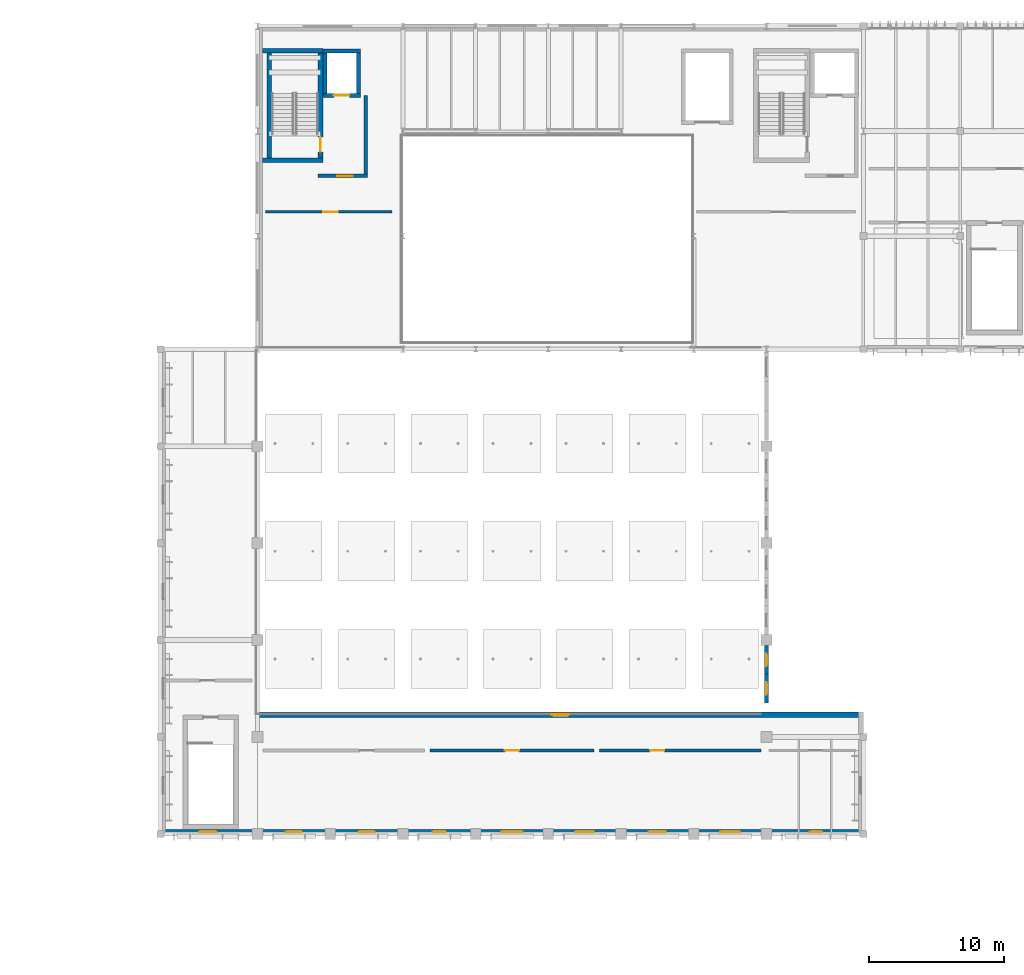
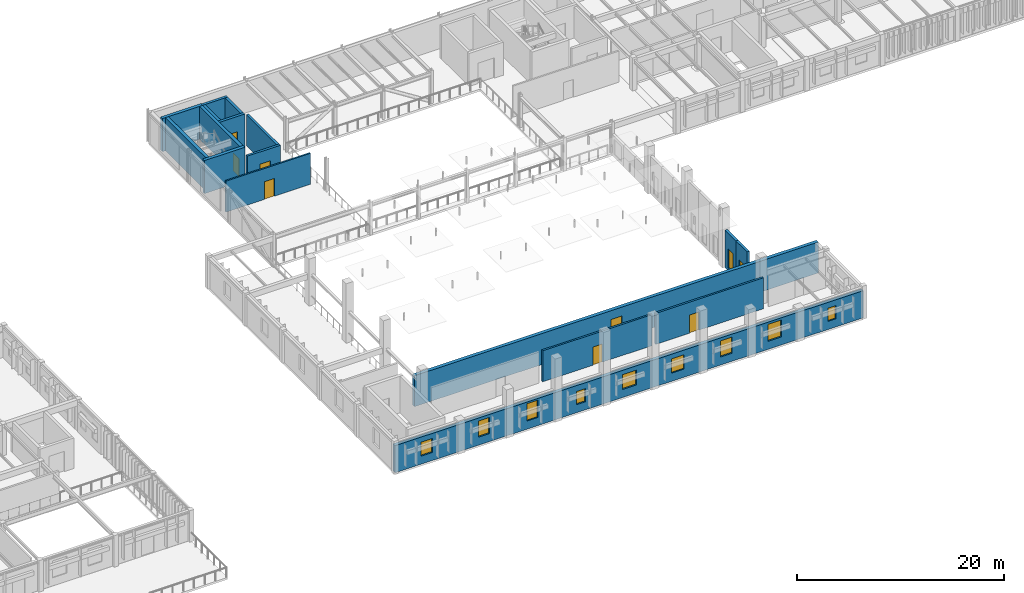
# One storey, part 21 of 44: 17 walls, 12 windows, 6 doors, 18 openings.
"""IFC4 building model written with IfcOpenShell, lengths in metres."""

from ifc_helpers import new_model, si_unit, direction, frame, frame_2d, origin, place, context, subcontext, project, spatial, rectangle, extrude, material, layer, layer_set, type_object, element, fill, save


model = new_model("IFC4")

# Units and contexts
model_context = context("Model", 3, precision=1e-05, world=origin(), true_north=direction((0.0, 1.0)))
body_context = subcontext(model_context, "Body", "Model", "MODEL_VIEW")
ifc_project = project(units=[si_unit("LENGTHUNIT", "METRE"), si_unit("AREAUNIT", "SQUARE_METRE"), si_unit("VOLUMEUNIT", "CUBIC_METRE"), si_unit("PLANEANGLEUNIT", "RADIAN"), si_unit("MASSUNIT", "GRAM", prefix="KILO")], contexts=[model_context])

# Site, building, storey
site_placement = place(None, origin())
site = spatial("IfcSite", under=ifc_project, at=site_placement, CompositionType="ELEMENT")
building_placement = place(site_placement, origin())
building = spatial("IfcBuilding", under=site, at=building_placement, Name="Tazoul Stagehouse", CompositionType="ELEMENT")
storey_placement = place(building_placement, frame((0.0, 0.0, 13.199951171875)))
storey = spatial("IfcBuildingStorey", under=building, at=storey_placement, Name="L03", CompositionType="ELEMENT", Elevation=13.199951171875)

# Wall, opening, window
ifc_material_1 = material(Name="Concrete C40/50", Category="concrete")
ifc_layer_1 = layer(ifc_material_1, 0.3798828125, Name="Concrete C40/50")
ifc_layer_set_1 = layer_set([ifc_layer_1], Name="Concrete C40/50")
wall_type_1 = type_object("IfcWallType", Name="Auditorium Shell Acoustic Perimeter Wall 380", PredefinedType="SOLIDWALL", material=ifc_layer_set_1)
wall_1_placement = place(storey_placement, frame((57.60009765625, 60.64990234375, 0.0), z_axis=(0.0, 0.0, 1.0), x_axis=(1.0, 0.0, 0.0)))
wall_1 = element("IfcWall", 1, at=wall_1_placement, inside=storey, type_object=wall_type_1, Name="L03 Wall EW-380 (WALL-V1-N-L03S-S1)", PredefinedType="SOLIDWALL", context=body_context, shape_type="SweptSolid", body=[
    extrude(rectangle(XDim=45.0, YDim=0.3798828125, at=frame_2d((22.5, 0.0))), origin(), (0.0, 0.0, 1.0), 3.650146484375),
])
opening_1_placement = place(wall_1_placement, frame((21.8701171875, 0.0, 0.949951171875)))
opening_1 = element("IfcOpeningElement", 2, at=opening_1_placement, cuts=wall_1, Name="Opening WN-45", PredefinedType="OPENING", context=body_context, shape_type="SweptSolid", body=[
    extrude(rectangle(XDim=1.260009765625, YDim=1.64990234375, at=frame_2d((0.6298828125, 0.824951171875))), frame((0.0, 0.2099609375, 0.0), z_axis=(0.0, -1.0, 0.0), x_axis=(1.0, 0.0, 0.0)), (0.0, 0.0, 1.0), 0.419921875),
])
ifc_material_2 = material(Name="Double Low-E Acoustic Laminated Glass", Category="glass")
window_type_1 = type_object("IfcWindowType", Name="Architectural Acoustic Facade Window 1260x1650", PartitioningType="SINGLE_PANEL", PredefinedType="WINDOW", material=ifc_material_2)
window_1_placement = place(opening_1_placement, origin())
window_1 = element("IfcWindow", 3, at=window_1_placement, inside=storey, type_object=window_type_1, Name="L03 Window WN-45 (WALL-V1-N-L03S-S1-B1-W1)", OverallHeight=1.64990234375, OverallWidth=1.260009765625, PartitioningType="SINGLE_PANEL", PredefinedType="WINDOW", context=body_context, shape_type="SweptSolid", body=[
    extrude(rectangle(XDim=1.260009765625, YDim=1.64990234375, at=frame_2d((0.6298828125, 0.824951171875))), frame((0.0, 0.030029296875, 0.0), z_axis=(0.0, -1.0, 0.0), x_axis=(1.0, 0.0, 0.0)), (0.0, 0.0, 1.0), 0.06005859375),
])
fill(opening_1, window_1)

# Wall, openings, windows
wall_2_placement = place(storey_placement, frame((50.39990234375, 51.949951171875, 0.0), z_axis=(0.0, 0.0, 1.0), x_axis=(1.0, 0.0, 0.0)))
wall_2 = element("IfcWall", 4, at=wall_2_placement, inside=storey, type_object=wall_type_1, Name="L03 Wall EW-380 (WALL-V1-S-L03-S1)", PredefinedType="SOLIDWALL", context=body_context, shape_type="SweptSolid", body=[
    extrude(rectangle(XDim=52.2001953125, YDim=0.3798828125, at=frame_2d((26.10009765625, 0.0))), origin(), (0.0, 0.0, 1.0), 3.199951171875),
])
opening_2_placement = place(wall_2_placement, frame((2.8798828125, 0.0, 0.949951171875)))
opening_2 = element("IfcOpeningElement", 5, at=opening_2_placement, cuts=wall_2, Name="Opening WN-46", PredefinedType="OPENING", context=body_context, shape_type="SweptSolid", body=[
    extrude(rectangle(XDim=1.2900390625, YDim=1.64990234375, at=frame_2d((0.64501953125, 0.824951171875))), frame((0.0, 0.2099609375, 0.0), z_axis=(0.0, -1.0, 0.0), x_axis=(1.0, 0.0, 0.0)), (0.0, 0.0, 1.0), 0.419921875),
])
opening_3_placement = place(wall_2_placement, frame((9.300048828125, 0.0, 0.949951171875)))
opening_3 = element("IfcOpeningElement", 6, at=opening_3_placement, cuts=wall_2, Name="Opening WN-68", PredefinedType="OPENING", context=body_context, shape_type="SweptSolid", body=[
    extrude(rectangle(XDim=1.199951171875, YDim=1.89990234375, at=frame_2d((0.60009765625, 0.949951171875))), frame((0.0, 0.2099609375, 0.0), z_axis=(0.0, -1.0, 0.0), x_axis=(1.0, 0.0, 0.0)), (0.0, 0.0, 1.0), 0.419921875),
])
opening_4_placement = place(wall_2_placement, frame((14.699951171875, 0.0, 0.949951171875)))
opening_4 = element("IfcOpeningElement", 7, at=opening_4_placement, cuts=wall_2, Name="Opening WN-22", PredefinedType="OPENING", context=body_context, shape_type="SweptSolid", body=[
    extrude(rectangle(XDim=1.199951171875, YDim=2.050048828125, at=frame_2d((0.60009765625, 1.02490234375))), frame((0.0, 0.2099609375, 0.0), z_axis=(0.0, -1.0, 0.0), x_axis=(1.0, 0.0, 0.0)), (0.0, 0.0, 1.0), 0.419921875),
])
opening_5_placement = place(wall_2_placement, frame((20.205078125, 0.0, 0.949951171875)))
opening_5 = element("IfcOpeningElement", 8, at=opening_5_placement, cuts=wall_2, Name="Opening WN-36", PredefinedType="OPENING", context=body_context, shape_type="SweptSolid", body=[
    extrude(rectangle(XDim=0.989990234375, YDim=1.550048828125, at=frame_2d((0.4951171875, 0.77490234375))), frame((0.0, 0.2099609375, 0.0), z_axis=(0.0, -1.0, 0.0), x_axis=(1.0, 0.0, 0.0)), (0.0, 0.0, 1.0), 0.419921875),
])
opening_6_placement = place(wall_2_placement, frame((25.320068359375, 0.0, 0.949951171875)))
opening_6 = element("IfcOpeningElement", 9, at=opening_6_placement, cuts=wall_2, Name="Opening WN-55", PredefinedType="OPENING", context=body_context, shape_type="SweptSolid", body=[
    extrude(rectangle(XDim=1.56005859375, YDim=1.75, at=frame_2d((0.780029296875, 0.875))), frame((0.0, 0.2099609375, 0.0), z_axis=(0.0, -1.0, 0.0), x_axis=(1.0, 0.0, 0.0)), (0.0, 0.0, 1.0), 0.419921875),
])
opening_7_placement = place(wall_2_placement, frame((30.780029296875, 0.0, 0.949951171875)))
opening_7 = element("IfcOpeningElement", 10, at=opening_7_placement, cuts=wall_2, Name="Opening WN-51", PredefinedType="OPENING", context=body_context, shape_type="SweptSolid", body=[
    extrude(rectangle(XDim=1.43994140625, YDim=1.699951171875, at=frame_2d((0.719970703125, 0.85009765625))), frame((0.0, 0.2099609375, 0.0), z_axis=(0.0, -1.0, 0.0), x_axis=(1.0, 0.0, 0.0)), (0.0, 0.0, 1.0), 0.419921875),
])
opening_8_placement = place(wall_2_placement, frame((36.239990234375, 0.0, 0.949951171875)))
opening_8 = element("IfcOpeningElement", 11, at=opening_8_placement, cuts=wall_2, Name="Opening WN-72", PredefinedType="OPENING", context=body_context, shape_type="SweptSolid", body=[
    extrude(rectangle(XDim=1.320068359375, YDim=1.89990234375, at=frame_2d((0.66015625, 0.949951171875))), frame((0.0, 0.2099609375, 0.0), z_axis=(0.0, -1.0, 0.0), x_axis=(1.0, 0.0, 0.0)), (0.0, 0.0, 1.0), 0.419921875),
])
opening_9_placement = place(wall_2_placement, frame((41.550048828125, 0.0, 0.949951171875)))
opening_9 = element("IfcOpeningElement", 12, at=opening_9_placement, cuts=wall_2, Name="Opening WN-78", PredefinedType="OPENING", context=body_context, shape_type="SweptSolid", body=[
    extrude(rectangle(XDim=1.5, YDim=2.0, at=frame_2d((0.75, 1.0))), frame((0.0, 0.2099609375, 0.0), z_axis=(0.0, -1.0, 0.0), x_axis=(1.0, 0.0, 0.0)), (0.0, 0.0, 1.0), 0.419921875),
])
opening_10_placement = place(wall_2_placement, frame((48.22509765625, 0.0, 0.949951171875)))
opening_10 = element("IfcOpeningElement", 13, at=opening_10_placement, cuts=wall_2, Name="Opening WN-33", PredefinedType="OPENING", context=body_context, shape_type="SweptSolid", body=[
    extrude(rectangle(XDim=0.89990234375, YDim=1.550048828125, at=frame_2d((0.449951171875, 0.77490234375))), frame((0.0, 0.2099609375, 0.0), z_axis=(0.0, -1.0, 0.0), x_axis=(1.0, 0.0, 0.0)), (0.0, 0.0, 1.0), 0.419921875),
])
window_type_2 = type_object("IfcWindowType", Name="Architectural Acoustic Facade Window 1200x1900", PartitioningType="SINGLE_PANEL", PredefinedType="WINDOW", material=ifc_material_2)
window_2_placement = place(opening_3_placement, origin())
window_2 = element("IfcWindow", 14, at=window_2_placement, inside=storey, type_object=window_type_2, Name="L03 Window WN-68 (WALL-V1-S-L03-S1-B2-W1)", OverallHeight=1.89990234375, OverallWidth=1.199951171875, PartitioningType="SINGLE_PANEL", PredefinedType="WINDOW", context=body_context, shape_type="SweptSolid", body=[
    extrude(rectangle(XDim=1.199951171875, YDim=1.89990234375, at=frame_2d((0.60009765625, 0.949951171875))), frame((0.0, 0.030029296875, 0.0), z_axis=(0.0, -1.0, 0.0), x_axis=(1.0, 0.0, 0.0)), (0.0, 0.0, 1.0), 0.06005859375),
])
fill(opening_3, window_2)
window_type_3 = type_object("IfcWindowType", Name="Architectural Acoustic Facade Window 1290x1650", PartitioningType="SINGLE_PANEL", PredefinedType="WINDOW", material=ifc_material_2)
window_3_placement = place(opening_2_placement, origin())
window_3 = element("IfcWindow", 15, at=window_3_placement, inside=storey, type_object=window_type_3, Name="L03 Window WN-46 (WALL-V1-S-L03-S1-B1-W1)", OverallHeight=1.64990234375, OverallWidth=1.2900390625, PartitioningType="SINGLE_PANEL", PredefinedType="WINDOW", context=body_context, shape_type="SweptSolid", body=[
    extrude(rectangle(XDim=1.2900390625, YDim=1.64990234375, at=frame_2d((0.64501953125, 0.824951171875))), frame((0.0, 0.030029296875, 0.0), z_axis=(0.0, -1.0, 0.0), x_axis=(1.0, 0.0, 0.0)), (0.0, 0.0, 1.0), 0.06005859375),
])
fill(opening_2, window_3)
window_type_4 = type_object("IfcWindowType", Name="Architectural Acoustic Facade Window 1320x1900", PartitioningType="SINGLE_PANEL", PredefinedType="WINDOW", material=ifc_material_2)
window_4_placement = place(opening_8_placement, origin())
window_4 = element("IfcWindow", 16, at=window_4_placement, inside=storey, type_object=window_type_4, Name="L03 Window WN-72 (WALL-V1-S-L03-S1-B7-W1)", OverallHeight=1.89990234375, OverallWidth=1.320068359375, PartitioningType="SINGLE_PANEL", PredefinedType="WINDOW", context=body_context, shape_type="SweptSolid", body=[
    extrude(rectangle(XDim=1.320068359375, YDim=1.89990234375, at=frame_2d((0.66015625, 0.949951171875))), frame((0.0, 0.030029296875, 0.0), z_axis=(0.0, -1.0, 0.0), x_axis=(1.0, 0.0, 0.0)), (0.0, 0.0, 1.0), 0.06005859375),
])
fill(opening_8, window_4)
window_type_5 = type_object("IfcWindowType", Name="Architectural Acoustic Facade Window 1440x1700", PartitioningType="SINGLE_PANEL", PredefinedType="WINDOW", material=ifc_material_2)
window_5_placement = place(opening_7_placement, origin())
window_5 = element("IfcWindow", 17, at=window_5_placement, inside=storey, type_object=window_type_5, Name="L03 Window WN-51 (WALL-V1-S-L03-S1-B6-W1)", OverallHeight=1.699951171875, OverallWidth=1.43994140625, PartitioningType="SINGLE_PANEL", PredefinedType="WINDOW", context=body_context, shape_type="SweptSolid", body=[
    extrude(rectangle(XDim=1.43994140625, YDim=1.699951171875, at=frame_2d((0.719970703125, 0.85009765625))), frame((0.0, 0.030029296875, 0.0), z_axis=(0.0, -1.0, 0.0), x_axis=(1.0, 0.0, 0.0)), (0.0, 0.0, 1.0), 0.06005859375),
])
fill(opening_7, window_5)
window_type_6 = type_object("IfcWindowType", Name="Architectural Acoustic Facade Window 1500x2000", PartitioningType="SINGLE_PANEL", PredefinedType="WINDOW", material=ifc_material_2)
window_6_placement = place(opening_9_placement, origin())
window_6 = element("IfcWindow", 18, at=window_6_placement, inside=storey, type_object=window_type_6, Name="L03 Window WN-78 (WALL-V1-S-L03-S1-B8-W1)", OverallHeight=2.0, OverallWidth=1.5, PartitioningType="SINGLE_PANEL", PredefinedType="WINDOW", context=body_context, shape_type="SweptSolid", body=[
    extrude(rectangle(XDim=1.5, YDim=2.0, at=frame_2d((0.75, 1.0))), frame((0.0, 0.030029296875, 0.0), z_axis=(0.0, -1.0, 0.0), x_axis=(1.0, 0.0, 0.0)), (0.0, 0.0, 1.0), 0.06005859375),
])
fill(opening_9, window_6)
window_type_7 = type_object("IfcWindowType", Name="Architectural Acoustic Facade Window 1560x1750", PartitioningType="SINGLE_PANEL", PredefinedType="WINDOW", material=ifc_material_2)
window_7_placement = place(opening_6_placement, origin())
window_7 = element("IfcWindow", 19, at=window_7_placement, inside=storey, type_object=window_type_7, Name="L03 Window WN-55 (WALL-V1-S-L03-S1-B5-W1)", OverallHeight=1.75, OverallWidth=1.56005859375, PartitioningType="SINGLE_PANEL", PredefinedType="WINDOW", context=body_context, shape_type="SweptSolid", body=[
    extrude(rectangle(XDim=1.56005859375, YDim=1.75, at=frame_2d((0.780029296875, 0.875))), frame((0.0, 0.030029296875, 0.0), z_axis=(0.0, -1.0, 0.0), x_axis=(1.0, 0.0, 0.0)), (0.0, 0.0, 1.0), 0.06005859375),
])
fill(opening_6, window_7)
window_type_8 = type_object("IfcWindowType", Name="Architectural Acoustic Facade Window 900x1550", PartitioningType="SINGLE_PANEL", PredefinedType="WINDOW", material=ifc_material_2)
window_8_placement = place(opening_10_placement, origin())
window_8 = element("IfcWindow", 20, at=window_8_placement, inside=storey, type_object=window_type_8, Name="L03 Window WN-33 (WALL-V1-S-L03-S1-B9-W1)", OverallHeight=1.550048828125, OverallWidth=0.89990234375, PartitioningType="SINGLE_PANEL", PredefinedType="WINDOW", context=body_context, shape_type="SweptSolid", body=[
    extrude(rectangle(XDim=0.89990234375, YDim=1.550048828125, at=frame_2d((0.449951171875, 0.77490234375))), frame((0.0, 0.030029296875, 0.0), z_axis=(0.0, -1.0, 0.0), x_axis=(1.0, 0.0, 0.0)), (0.0, 0.0, 1.0), 0.06005859375),
])
fill(opening_10, window_8)
window_type_9 = type_object("IfcWindowType", Name="Architectural Acoustic Facade Window 990x1550", PartitioningType="SINGLE_PANEL", PredefinedType="WINDOW", material=ifc_material_2)
window_9_placement = place(opening_5_placement, origin())
window_9 = element("IfcWindow", 21, at=window_9_placement, inside=storey, type_object=window_type_9, Name="L03 Window WN-36 (WALL-V1-S-L03-S1-B4-W1)", OverallHeight=1.550048828125, OverallWidth=0.989990234375, PartitioningType="SINGLE_PANEL", PredefinedType="WINDOW", context=body_context, shape_type="SweptSolid", body=[
    extrude(rectangle(XDim=0.989990234375, YDim=1.550048828125, at=frame_2d((0.4951171875, 0.77490234375))), frame((0.0, 0.030029296875, 0.0), z_axis=(0.0, -1.0, 0.0), x_axis=(1.0, 0.0, 0.0)), (0.0, 0.0, 1.0), 0.06005859375),
])
fill(opening_5, window_9)
window_type_10 = type_object("IfcWindowType", Name="Studio Drum Acoustic Window 1200x2050", PartitioningType="SINGLE_PANEL", PredefinedType="WINDOW", material=ifc_material_2)
window_10_placement = place(opening_4_placement, origin())
window_10 = element("IfcWindow", 22, at=window_10_placement, inside=storey, type_object=window_type_10, Name="L03 Window WN-22 (WALL-V1-S-L03-S1-B3-W1)", OverallHeight=2.050048828125, OverallWidth=1.199951171875, PartitioningType="SINGLE_PANEL", PredefinedType="WINDOW", context=body_context, shape_type="SweptSolid", body=[
    extrude(rectangle(XDim=1.199951171875, YDim=2.050048828125, at=frame_2d((0.60009765625, 1.02490234375))), frame((0.0, 0.030029296875, 0.0), z_axis=(0.0, -1.0, 0.0), x_axis=(1.0, 0.0, 0.0)), (0.0, 0.0, 1.0), 0.06005859375),
])
fill(opening_4, window_10)

# Walls
ifc_layer_2 = layer(ifc_material_1, 0.35009765625, Name="Concrete C40/50")
ifc_layer_set_2 = layer_set([ifc_layer_2], Name="Concrete C40/50")
wall_type_2 = type_object("IfcWallType", Name="Core Shear Wall 350", PredefinedType="SOLIDWALL", material=ifc_layer_set_2)
wall_3_placement = place(storey_placement, frame((62.449951171875, 101.824951171875, 0.0), z_axis=(0.0, 0.0, 1.0), x_axis=(-1.0, 0.0, 0.0)))
element("IfcWall", 23, at=wall_3_placement, inside=storey, type_object=wall_type_2, Name="L03 Core Wall CW-350 (SHF-ST-03-south)", PredefinedType="SOLIDWALL", context=body_context, shape_type="SweptSolid", body=[
    extrude(rectangle(XDim=4.489990234375, YDim=0.35009765625, at=frame_2d((2.2451171875, 0.0))), origin(), (0.0, 0.0, 1.0), 3.900146484375),
])
wall_4_placement = place(storey_placement, frame((58.47509765625, 102.0, 0.0), z_axis=(0.0, 0.0, 1.0), x_axis=(0.0, 1.0, 0.0)))
element("IfcWall", 24, at=wall_4_placement, inside=storey, type_object=wall_type_2, Name="L03 Core Wall CW-350 (SHF-ST-03-west)", PredefinedType="SOLIDWALL", context=body_context, shape_type="SweptSolid", body=[
    extrude(rectangle(XDim=7.800048828125, YDim=0.35009765625, at=frame_2d((3.89990234375, 0.0))), origin(), (0.0, 0.0, 1.0), 3.900146484375),
])
wall_5_placement = place(storey_placement, frame((57.9599609375, 109.97509765625, 0.0), z_axis=(0.0, 0.0, 1.0), x_axis=(1.0, 0.0, 0.0)))
element("IfcWall", 25, at=wall_5_placement, inside=storey, type_object=wall_type_2, Name="L03 Core Wall CW-350 (SHF-ST-03-north)", PredefinedType="SOLIDWALL", context=body_context, shape_type="SweptSolid", body=[
    extrude(rectangle(XDim=4.489990234375, YDim=0.35009765625, at=frame_2d((2.2451171875, 0.0))), origin(), (0.0, 0.0, 1.0), 3.900146484375),
])

# Wall, opening, door
wall_6_placement = place(storey_placement, frame((62.27490234375, 109.800048828125, 0.0), z_axis=(0.0, 0.0, 1.0), x_axis=(0.0, -1.0, 0.0)))
wall_6 = element("IfcWall", 26, at=wall_6_placement, inside=storey, type_object=wall_type_2, Name="L03 Core Wall CW-350 (SHF-ST-03-east)", PredefinedType="SOLIDWALL", context=body_context, shape_type="SweptSolid", body=[
    extrude(rectangle(XDim=7.800048828125, YDim=0.35009765625, at=frame_2d((3.89990234375, 0.0))), origin(), (0.0, 0.0, 1.0), 3.900146484375),
])
opening_11_placement = place(wall_6_placement, frame((6.25, 0.0, 0.0)))
opening_11 = element("IfcOpeningElement", 27, at=opening_11_placement, cuts=wall_6, Name="Opening FD-01", PredefinedType="OPENING", context=body_context, shape_type="SweptSolid", body=[
    extrude(rectangle(XDim=1.10009765625, YDim=2.14990234375, at=frame_2d((0.550048828125, 1.074951171875))), frame((0.0, 0.195068359375, 0.0), z_axis=(0.0, -1.0, 0.0), x_axis=(1.0, 0.0, 0.0)), (0.0, 0.0, 1.0), 0.39013671875),
])
ifc_material_3 = material(Name="Powder-Coated Galvanised Acoustic Steel", Category="steel")
door_type_1 = type_object("IfcDoorType", Name="Core Escape Stair Fire Door 1100x2150", OperationType="NOTDEFINED", PredefinedType="DOOR", material=ifc_material_3)
door_1_placement = place(opening_11_placement, origin())
door_1 = element("IfcDoor", 28, at=door_1_placement, inside=storey, type_object=door_type_1, Name="L03 Escape Stair Fire Door FD-01 (ST-03)", OperationType="SINGLE_SWING_RIGHT", OverallHeight=2.14990234375, OverallWidth=1.10009765625, PredefinedType="DOOR", context=body_context, shape_type="SweptSolid", body=[
    extrude(rectangle(XDim=1.10009765625, YDim=2.14990234375, at=frame_2d((0.550048828125, 1.074951171875))), frame((0.0, 0.02490234375, 0.0), z_axis=(0.0, -1.0, 0.0), x_axis=(1.0, 0.0, 0.0)), (0.0, 0.0, 1.0), 0.050048828125),
])
fill(opening_11, door_1)

ifc_material_4 = material(Name="Gypsum Acoustic Partition", Category="gypsum")
ifc_layer_3 = layer(ifc_material_4, 0.169921875, Name="Gypsum Acoustic Partition")
ifc_layer_set_3 = layer_set([ifc_layer_3], Name="Gypsum Acoustic Partition")
wall_type_3 = type_object("IfcWallType", Name="Corridor Fire-Rated Partition 170", PredefinedType="PARTITIONING", material=ifc_layer_set_3)
wall_7_placement = place(storey_placement, frame((58.199951171875, 98.0, 0.0), z_axis=(0.0, 0.0, 1.0), x_axis=(1.0, 0.0, 0.0)))
wall_7 = element("IfcWall", 29, at=wall_7_placement, inside=storey, type_object=wall_type_3, Name="L03 Partition PW-170 (PW-RM-L03-076-N)", PredefinedType="PARTITIONING", context=body_context, shape_type="SweptSolid", body=[
    extrude(rectangle(XDim=9.400146484375, YDim=0.169921875, at=frame_2d((4.7001953125, 0.0))), origin(), (0.0, 0.0, 1.0), 3.650146484375),
])
opening_12_placement = place(wall_7_placement, frame((4.272705078125, 0.0, 0.0)))
opening_12 = element("IfcOpeningElement", 30, at=opening_12_placement, cuts=wall_7, Name="Opening ID-09", PredefinedType="OPENING", context=body_context, shape_type="SweptSolid", body=[
    extrude(rectangle(XDim=1.10009765625, YDim=2.10009765625, at=frame_2d((0.550048828125, 1.050048828125))), frame((0.0, 0.10498046875, 0.0), z_axis=(0.0, -1.0, 0.0), x_axis=(1.0, 0.0, 0.0)), (0.0, 0.0, 1.0), 0.2099609375),
])
ifc_material_5 = material(Name="Acoustic Cedar Timber", Category="wood")
door_type_2 = type_object("IfcDoorType", Name="Store Room Steel Door 1100x2100", OperationType="NOTDEFINED", PredefinedType="DOOR", material=ifc_material_5)
door_2_placement = place(opening_12_placement, origin())
door_2 = element("IfcDoor", 31, at=door_2_placement, inside=storey, type_object=door_type_2, Name="L03 Upper Fly Amplifier and Winch Gallery Door", OperationType="SINGLE_SWING_RIGHT", OverallHeight=2.10009765625, OverallWidth=1.10009765625, PredefinedType="DOOR", context=body_context, shape_type="SweptSolid", body=[
    extrude(rectangle(XDim=1.10009765625, YDim=2.10009765625, at=frame_2d((0.550048828125, 1.050048828125))), frame((0.0, 0.02490234375, 0.0), z_axis=(0.0, -1.0, 0.0), x_axis=(1.0, 0.0, 0.0)), (0.0, 0.0, 1.0), 0.050048828125),
])
fill(opening_12, door_2)

ifc_layer_4 = layer(ifc_material_1, 0.260009765625, Name="Concrete C40/50")
ifc_layer_set_4 = layer_set([ifc_layer_4], Name="Concrete C40/50")
wall_type_4 = type_object("IfcWallType", Name="Firefighting Lobby Wall 260", PredefinedType="SOLIDWALL", material=ifc_layer_set_4)
wall_8_placement = place(storey_placement, frame((65.760009765625, 100.669921875, 0.0), z_axis=(0.0, 0.0, 1.0), x_axis=(-1.0, 0.0, 0.0)))
wall_8 = element("IfcWall", 32, at=wall_8_placement, inside=storey, type_object=wall_type_4, Name="L03 Firefighting Lobby Wall CW-260 (C3-S)", PredefinedType="SOLIDWALL", context=body_context, shape_type="SweptSolid", body=[
    extrude(rectangle(XDim=3.659912109375, YDim=0.260009765625, at=frame_2d((1.830078125, 0.0))), origin(), (0.0, 0.0, 1.0), 3.650146484375),
])
opening_13_placement = place(wall_8_placement, frame((1.10009765625, 0.0, 0.0)))
opening_13 = element("IfcOpeningElement", 33, at=opening_13_placement, cuts=wall_8, Name="Opening FD-02", PredefinedType="OPENING", context=body_context, shape_type="SweptSolid", body=[
    extrude(rectangle(XDim=1.14990234375, YDim=2.199951171875, at=frame_2d((0.574951171875, 1.10009765625))), frame((0.0, 0.14990234375, 0.0), z_axis=(0.0, -1.0, 0.0), x_axis=(1.0, 0.0, 0.0)), (0.0, 0.0, 1.0), 0.300048828125),
])
door_type_3 = type_object("IfcDoorType", Name="Firefighting Lobby Fire Door 1150x2200", OperationType="NOTDEFINED", PredefinedType="DOOR", material=ifc_material_3)
door_3_placement = place(opening_13_placement, origin())
door_3 = element("IfcDoor", 34, at=door_3_placement, inside=storey, type_object=door_type_3, Name="L03 Firefighting Lobby Door FD-02 (C3)", OperationType="SINGLE_SWING_LEFT", OverallHeight=2.199951171875, OverallWidth=1.14990234375, PredefinedType="DOOR", context=body_context, shape_type="SweptSolid", body=[
    extrude(rectangle(XDim=1.14990234375, YDim=2.199951171875, at=frame_2d((0.574951171875, 1.10009765625))), frame((0.0, 0.02490234375, 0.0), z_axis=(0.0, -1.0, 0.0), x_axis=(1.0, 0.0, 0.0)), (0.0, 0.0, 1.0), 0.050048828125),
])
fill(opening_13, door_3)

# Wall
wall_9_placement = place(storey_placement, frame((65.6298828125, 106.64990234375, 0.0), z_axis=(0.0, 0.0, 1.0), x_axis=(0.0, -1.0, 0.0)))
element("IfcWall", 35, at=wall_9_placement, inside=storey, type_object=wall_type_4, Name="L03 Firefighting Lobby Wall CW-260 (C3-E)", PredefinedType="SOLIDWALL", context=body_context, shape_type="SweptSolid", body=[
    extrude(rectangle(XDim=5.849853515625, YDim=0.260009765625, at=frame_2d((2.9248046875, 0.0))), origin(), (0.0, 0.0, 1.0), 3.650146484375),
])

# Wall, opening, window
ifc_material_6 = material(Name="Precast concrete C40/50", Category="concrete")
ifc_layer_5 = layer(ifc_material_6, 0.280029296875, Name="Precast concrete C40/50")
ifc_layer_set_5 = layer_set([ifc_layer_5], Name="Precast concrete C40/50")
wall_type_5 = type_object("IfcWallType", Name="Insulated Precast Acoustic Cladding Wall 280", PredefinedType="SOLIDWALL", material=ifc_layer_set_5)
wall_10_placement = place(storey_placement, frame((95.39990234375, 61.5400390625, -0.02001953125), z_axis=(0.0, 0.0, 1.0), x_axis=(0.0, 1.0, 0.0)))
wall_10 = element("IfcWall", 36, at=wall_10_placement, inside=storey, type_object=wall_type_5, Name="L03 Wall EW-280 (WALL-V1-TYMP-E-B2-2)", PredefinedType="SOLIDWALL", context=body_context, shape_type="SweptSolid", body=[
    extrude(rectangle(XDim=2.119873046875, YDim=0.280029296875, at=frame_2d((1.06005859375, 0.0))), origin(), (0.0, 0.0, 1.0), 4.42724609375),
])
opening_14_placement = place(wall_10_placement, frame((0.610107421875, 0.0, 0.35009765625)))
opening_14 = element("IfcOpeningElement", 37, at=opening_14_placement, cuts=wall_10, Name="Opening WN-01", PredefinedType="OPENING", context=body_context, shape_type="SweptSolid", body=[
    extrude(rectangle(XDim=0.89990234375, YDim=2.199951171875, at=frame_2d((0.449951171875, 1.10009765625))), frame((0.0, 0.159912109375, 0.0), z_axis=(0.0, -1.0, 0.0), x_axis=(1.0, 0.0, 0.0)), (0.0, 0.0, 1.0), 0.320068359375),
])
window_type_11 = type_object("IfcWindowType", Name="Crescent Narrow Vertical Slot Window 900x2200", PartitioningType="SINGLE_PANEL", PredefinedType="WINDOW", material=ifc_material_2)
window_11_placement = place(opening_14_placement, origin())
window_11 = element("IfcWindow", 38, at=window_11_placement, inside=storey, type_object=window_type_11, Name="L03 Window WN-01 (WN-V1-TYMP-E2-2)", OverallHeight=2.199951171875, OverallWidth=0.89990234375, PartitioningType="SINGLE_PANEL", PredefinedType="WINDOW", context=body_context, shape_type="SweptSolid", body=[
    extrude(rectangle(XDim=0.89990234375, YDim=2.199951171875, at=frame_2d((0.449951171875, 1.10009765625))), frame((0.0, 0.030029296875, 0.0), z_axis=(0.0, -1.0, 0.0), x_axis=(1.0, 0.0, 0.0)), (0.0, 0.0, 1.0), 0.06005859375),
])
fill(opening_14, window_11)

wall_11_placement = place(storey_placement, frame((95.39990234375, 63.659912109375, -0.02001953125), z_axis=(0.0, 0.0, 1.0), x_axis=(0.0, 1.0, 0.0)))
wall_11 = element("IfcWall", 39, at=wall_11_placement, inside=storey, type_object=wall_type_5, Name="L03 Wall EW-280 (WALL-V1-TYMP-E-B2-3)", PredefinedType="SOLIDWALL", context=body_context, shape_type="SweptSolid", body=[
    extrude(rectangle(XDim=2.1201171875, YDim=0.280029296875, at=frame_2d((1.06005859375, 0.0))), origin(), (0.0, 0.0, 1.0), 4.42724609375),
])
opening_15_placement = place(wall_11_placement, frame((0.610107421875, 0.0, 0.35009765625)))
opening_15 = element("IfcOpeningElement", 40, at=opening_15_placement, cuts=wall_11, Name="Opening WN-01", PredefinedType="OPENING", context=body_context, shape_type="SweptSolid", body=[
    extrude(rectangle(XDim=0.89990234375, YDim=2.199951171875, at=frame_2d((0.449951171875, 1.10009765625))), frame((0.0, 0.159912109375, 0.0), z_axis=(0.0, -1.0, 0.0), x_axis=(1.0, 0.0, 0.0)), (0.0, 0.0, 1.0), 0.320068359375),
])
window_12_placement = place(opening_15_placement, origin())
window_12 = element("IfcWindow", 41, at=window_12_placement, inside=storey, type_object=window_type_11, Name="L03 Window WN-01 (WN-V1-TYMP-E2-3)", OverallHeight=2.199951171875, OverallWidth=0.89990234375, PartitioningType="SINGLE_PANEL", PredefinedType="WINDOW", context=body_context, shape_type="SweptSolid", body=[
    extrude(rectangle(XDim=0.89990234375, YDim=2.199951171875, at=frame_2d((0.449951171875, 1.10009765625))), frame((0.0, 0.030029296875, 0.0), z_axis=(0.0, -1.0, 0.0), x_axis=(1.0, 0.0, 0.0)), (0.0, 0.0, 1.0), 0.06005859375),
])
fill(opening_15, window_12)

# Wall, opening, door
ifc_layer_6 = layer(ifc_material_1, 0.300048828125, Name="Concrete C40/50")
ifc_layer_set_6 = layer_set([ifc_layer_6], Name="Concrete C40/50")
wall_type_6 = type_object("IfcWallType", Name="Lift Shaft Wall 300", PredefinedType="SOLIDWALL", material=ifc_layer_set_6)
wall_12_placement = place(storey_placement, frame((65.25, 106.64990234375, 0.0), z_axis=(0.0, 0.0, 1.0), x_axis=(-1.0, 0.0, 0.0)))
wall_12 = element("IfcWall", 42, at=wall_12_placement, inside=storey, type_object=wall_type_6, Name="L03 Core Wall CW-300 (LSHF-FFL-02-south)", PredefinedType="SOLIDWALL", context=body_context, shape_type="SweptSolid", body=[
    extrude(rectangle(XDim=2.800048828125, YDim=0.300048828125, at=frame_2d((1.39990234375, 0.0))), origin(), (0.0, 0.0, 1.0), 3.900146484375),
])
opening_16_placement = place(wall_12_placement, frame((0.824951171875, 0.0, 0.0)))
opening_16 = element("IfcOpeningElement", 43, at=opening_16_placement, cuts=wall_12, Name="Opening LD-02", PredefinedType="OPENING", context=body_context, shape_type="SweptSolid", body=[
    extrude(rectangle(XDim=1.14990234375, YDim=2.10009765625, at=frame_2d((0.574951171875, 1.050048828125))), frame((0.0, 0.169921875, 0.0), z_axis=(0.0, -1.0, 0.0), x_axis=(1.0, 0.0, 0.0)), (0.0, 0.0, 1.0), 0.340087890625),
])
door_type_4 = type_object("IfcDoorType", Name="Firefighter Lift Sliding Landing Door 1150x2100", OperationType="DOUBLE_DOOR_SLIDING", PredefinedType="DOOR", material=ifc_material_3)
door_4_placement = place(opening_16_placement, origin())
door_4 = element("IfcDoor", 44, at=door_4_placement, inside=storey, type_object=door_type_4, Name="L03 Lift Landing Sliding Door LD-02 (FFL-02)", OperationType="DOUBLE_DOOR_SLIDING", OverallHeight=2.10009765625, OverallWidth=1.14990234375, PredefinedType="DOOR", context=body_context, shape_type="SweptSolid", body=[
    extrude(rectangle(XDim=1.14990234375, YDim=2.10009765625, at=frame_2d((0.574951171875, 1.050048828125))), frame((0.0, 0.02490234375, 0.0), z_axis=(0.0, -1.0, 0.0), x_axis=(1.0, 0.0, 0.0)), (0.0, 0.0, 1.0), 0.050048828125),
])
fill(opening_16, door_4)

# Walls
wall_13_placement = place(storey_placement, frame((62.60009765625, 106.800048828125, 0.0), z_axis=(0.0, 0.0, 1.0), x_axis=(0.0, 1.0, 0.0)))
element("IfcWall", 45, at=wall_13_placement, inside=storey, type_object=wall_type_6, Name="L03 Core Wall CW-300 (LSHF-FFL-02-west)", PredefinedType="SOLIDWALL", context=body_context, shape_type="SweptSolid", body=[
    extrude(rectangle(XDim=3.0, YDim=0.300048828125, at=frame_2d((1.5, 0.0))), origin(), (0.0, 0.0, 1.0), 3.900146484375),
])
wall_14_placement = place(storey_placement, frame((62.449951171875, 109.949951171875, 0.0), z_axis=(0.0, 0.0, 1.0), x_axis=(1.0, 0.0, 0.0)))
element("IfcWall", 46, at=wall_14_placement, inside=storey, type_object=wall_type_6, Name="L03 Core Wall CW-300 (LSHF-FFL-02-north)", PredefinedType="SOLIDWALL", context=body_context, shape_type="SweptSolid", body=[
    extrude(rectangle(XDim=2.800048828125, YDim=0.300048828125, at=frame_2d((1.39990234375, 0.0))), origin(), (0.0, 0.0, 1.0), 3.900146484375),
])
wall_15_placement = place(storey_placement, frame((65.10009765625, 109.800048828125, 0.0), z_axis=(0.0, 0.0, 1.0), x_axis=(0.0, -1.0, 0.0)))
element("IfcWall", 47, at=wall_15_placement, inside=storey, type_object=wall_type_6, Name="L03 Core Wall CW-300 (LSHF-FFL-02-east)", PredefinedType="SOLIDWALL", context=body_context, shape_type="SweptSolid", body=[
    extrude(rectangle(XDim=3.0, YDim=0.300048828125, at=frame_2d((1.5, 0.0))), origin(), (0.0, 0.0, 1.0), 3.900146484375),
])

# Wall, opening, door
ifc_layer_7 = layer(ifc_material_4, 0.2099609375, Name="Gypsum Acoustic Partition")
ifc_layer_set_7 = layer_set([ifc_layer_7], Name="Gypsum Acoustic Partition")
wall_type_7 = type_object("IfcWallType", Name="Rehearsal Room Acoustic Partition 210", PredefinedType="PARTITIONING", material=ifc_layer_set_7)
wall_16_placement = place(storey_placement, frame((70.39990234375, 58.0, 0.0), z_axis=(0.0, 0.0, 1.0), x_axis=(1.0, 0.0, 0.0)))
wall_16 = element("IfcWall", 48, at=wall_16_placement, inside=storey, type_object=wall_type_7, Name="L03 Partition PW-210 (PW-RM-L03-071-N)", PredefinedType="PARTITIONING", context=body_context, shape_type="SweptSolid", body=[
    extrude(rectangle(XDim=12.2001953125, YDim=0.2099609375, at=frame_2d((6.10009765625, 0.0))), origin(), (0.0, 0.0, 1.0), 3.66015625),
])
opening_17_placement = place(wall_16_placement, frame((5.574951171875, 0.0, 0.0)))
opening_17 = element("IfcOpeningElement", 49, at=opening_17_placement, cuts=wall_16, Name="Opening ID-07", PredefinedType="OPENING", context=body_context, shape_type="SweptSolid", body=[
    extrude(rectangle(XDim=1.050048828125, YDim=2.14990234375, at=frame_2d((0.52490234375, 1.074951171875))), frame((0.0, 0.125, 0.0), z_axis=(0.0, -1.0, 0.0), x_axis=(1.0, 0.0, 0.0)), (0.0, 0.0, 1.0), 0.25),
])
door_type_5 = type_object("IfcDoorType", Name="Control Room Sound-Lock Door 1050x2150", OperationType="NOTDEFINED", PredefinedType="DOOR", material=ifc_material_5)
door_5_placement = place(opening_17_placement, origin())
door_5 = element("IfcDoor", 50, at=door_5_placement, inside=storey, type_object=door_type_5, Name="L03 Main Auditorium Lighting Control Room Door", OperationType="SINGLE_SWING_RIGHT", OverallHeight=2.14990234375, OverallWidth=1.050048828125, PredefinedType="DOOR", context=body_context, shape_type="SweptSolid", body=[
    extrude(rectangle(XDim=1.050048828125, YDim=2.14990234375, at=frame_2d((0.52490234375, 1.074951171875))), frame((0.0, 0.02490234375, 0.0), z_axis=(0.0, -1.0, 0.0), x_axis=(1.0, 0.0, 0.0)), (0.0, 0.0, 1.0), 0.050048828125),
])
fill(opening_17, door_5)

wall_17_placement = place(storey_placement, frame((83.0, 58.0, 0.0), z_axis=(0.0, 0.0, 1.0), x_axis=(1.0, 0.0, 0.0)))
wall_17 = element("IfcWall", 51, at=wall_17_placement, inside=storey, type_object=wall_type_7, Name="L03 Partition PW-210 (PW-RM-L03-072-N)", PredefinedType="PARTITIONING", context=body_context, shape_type="SweptSolid", body=[
    extrude(rectangle(XDim=12.0, YDim=0.2099609375, at=frame_2d((6.0, 0.0))), origin(), (0.0, 0.0, 1.0), 3.66015625),
])
opening_18_placement = place(wall_17_placement, frame((3.7666015625, 0.0, 0.0)))
opening_18 = element("IfcOpeningElement", 52, at=opening_18_placement, cuts=wall_17, Name="Opening ID-07", PredefinedType="OPENING", context=body_context, shape_type="SweptSolid", body=[
    extrude(rectangle(XDim=1.050048828125, YDim=2.14990234375, at=frame_2d((0.52490234375, 1.074951171875))), frame((0.0, 0.125, 0.0), z_axis=(0.0, -1.0, 0.0), x_axis=(1.0, 0.0, 0.0)), (0.0, 0.0, 1.0), 0.25),
])
door_6_placement = place(opening_18_placement, origin())
door_6 = element("IfcDoor", 53, at=door_6_placement, inside=storey, type_object=door_type_5, Name="L03 Follow-Spot and Broadcast Booth Door", OperationType="SINGLE_SWING_LEFT", OverallHeight=2.14990234375, OverallWidth=1.050048828125, PredefinedType="DOOR", context=body_context, shape_type="SweptSolid", body=[
    extrude(rectangle(XDim=1.050048828125, YDim=2.14990234375, at=frame_2d((0.52490234375, 1.074951171875))), frame((0.0, 0.02490234375, 0.0), z_axis=(0.0, -1.0, 0.0), x_axis=(1.0, 0.0, 0.0)), (0.0, 0.0, 1.0), 0.050048828125),
])
fill(opening_18, door_6)

save(model, "model.ifc")
